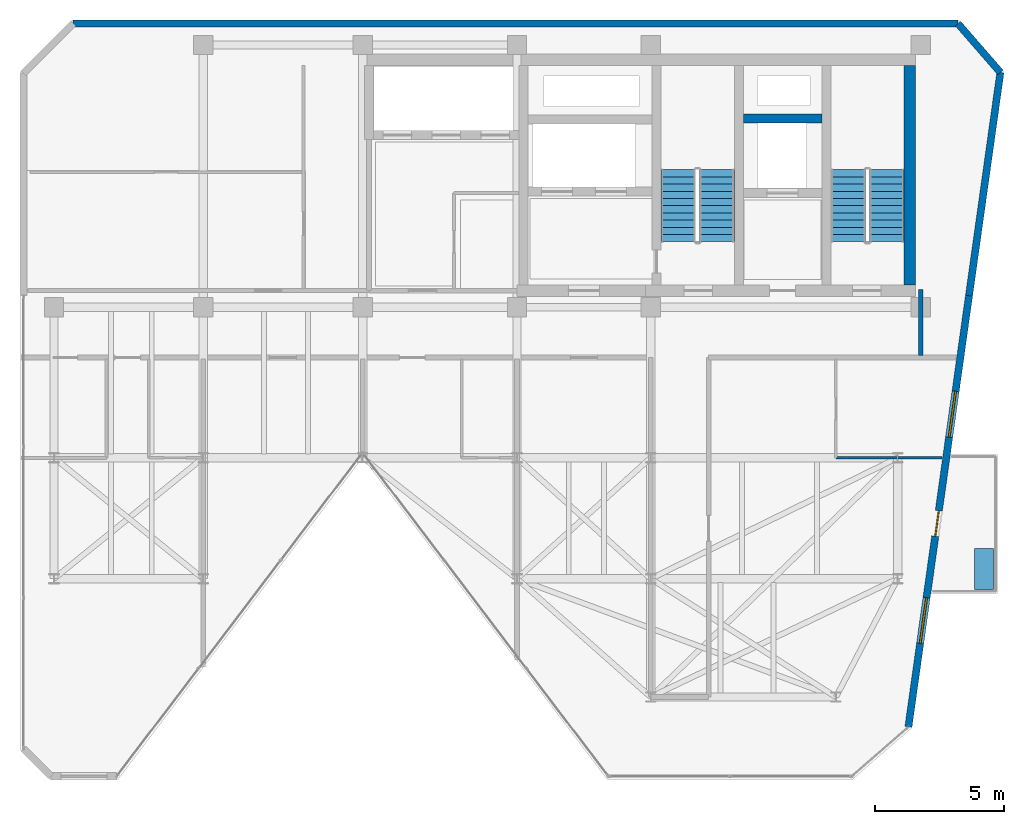
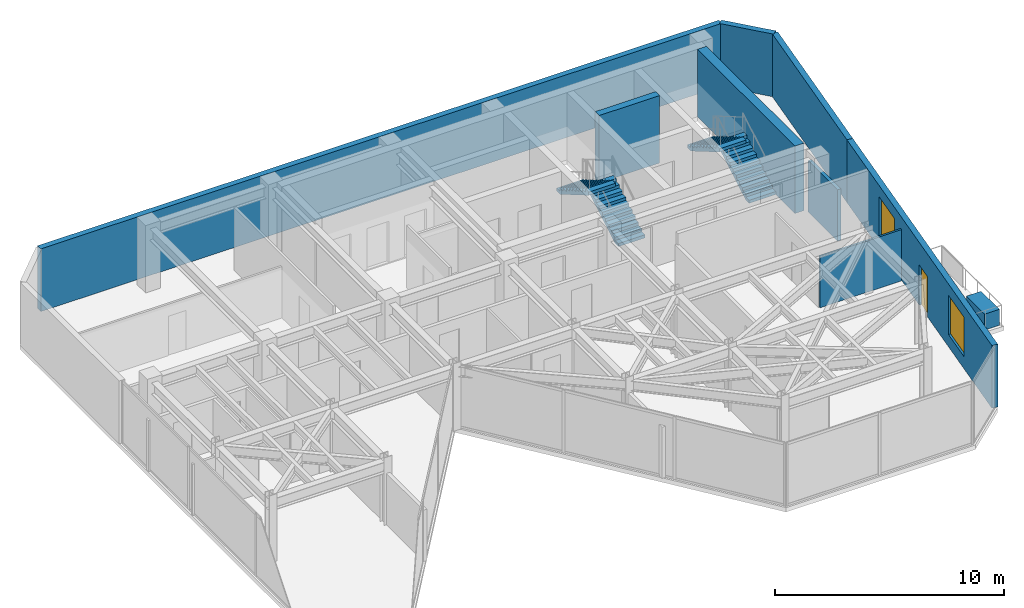
# One storey, part 15 of 17: 8 walls, 4 stair flights, 2 windows, 1 discrete accessory, 1 door, 3 openings, 2 elements without a shape of their own.
"""IFC4 building model written with IfcOpenShell, lengths in metres."""

from ifc_helpers import new_model, si_unit, direction, frame, frame_2d, origin, origin_2d, place, context, subcontext, project, spatial, polyline, rectangle, outline, extrude, material, layer, layer_set, type_object, element, fill, aggregate, save


model = new_model("IFC4")

# Units and contexts
model_context = context("Model", 3, precision=1e-05, world=origin(), true_north=direction((0.0, 1.0)))
body_context = subcontext(model_context, "Body", "Model", "MODEL_VIEW")
ifc_project = project(units=[si_unit("LENGTHUNIT", "METRE"), si_unit("AREAUNIT", "SQUARE_METRE"), si_unit("VOLUMEUNIT", "CUBIC_METRE"), si_unit("PLANEANGLEUNIT", "RADIAN"), si_unit("MASSUNIT", "GRAM", prefix="KILO")], contexts=[model_context])

# Site, building, storey
site_placement = place(None, origin())
site = spatial("IfcSite", under=ifc_project, at=site_placement, CompositionType="ELEMENT")
building_placement = place(site_placement, origin())
building = spatial("IfcBuilding", under=site, at=building_placement, Name="Kravanh Interchange Tower", CompositionType="ELEMENT")
storey_placement = place(building_placement, frame((0.0, 0.0, 293.10009765625)))
storey = spatial("IfcBuildingStorey", under=building, at=storey_placement, Name="L72", CompositionType="ELEMENT", Elevation=293.10009765625)

# Walls
ifc_material_1 = material(Name="Concrete C60/75", Category="concrete")
ifc_layer_1 = layer(ifc_material_1, 0.35009765625)
ifc_layer_set_1 = layer_set([ifc_layer_1], Name="Core Shear Wall Concrete C60/75 350mm")
wall_type_1 = type_object("IfcWallType", Name="Core Shear Wall Concrete C60/75 350mm", PredefinedType="SHEAR", material=ifc_layer_set_1)
wall_1_placement = place(storey_placement, frame((59.60009765625, 44.699951171875, 0.0), z_axis=(0.0, 0.0, 1.0), x_axis=(1.0, 0.0, 0.0)))
element("IfcWall", 1, at=wall_1_placement, inside=storey, type_object=wall_type_1, Name="L72 Service Lift Shaft North Wall", PredefinedType="SHEAR", context=body_context, shape_type="SweptSolid", body=[
    extrude(rectangle(XDim=3.0498046875, YDim=0.35009765625, at=frame_2d((1.52490234375, 0.0))), origin(), (0.0, 0.0, 1.0), 3.599853515625),
])
ifc_material_2 = material(Name="Concrete C60/75", Category="concrete")
ifc_layer_2 = layer(ifc_material_2, 0.449951171875)
ifc_layer_set_2 = layer_set([ifc_layer_2], Name="Core Shear Wall Concrete C60/75 450mm")
wall_type_2 = type_object("IfcWallType", Name="Core Shear Wall Concrete C60/75 450mm", PredefinedType="SHEAR", material=ifc_layer_set_2)
wall_2_placement = place(storey_placement, frame((66.074951171875, 38.22509765625, 0.0), z_axis=(0.0, 0.0, 1.0), x_axis=(0.0, 1.0, 0.0)))
element("IfcWall", 2, at=wall_2_placement, inside=storey, type_object=wall_type_2, Name="L72 Stair ST1 East Shear Wall", PredefinedType="SHEAR", context=body_context, shape_type="SweptSolid", body=[
    extrude(rectangle(XDim=8.52490234375, YDim=0.449951171875, at=frame_2d((4.262451171875, 0.0))), origin(), (0.0, 0.0, 1.0), 3.599853515625),
])
ifc_material_3 = material(Name="Moisture-Resistant Gypsum Board and Mineral Wool")
ifc_layer_3 = layer(ifc_material_3, 0.10009765625)
ifc_layer_set_3 = layer_set([ifc_layer_3], Name="En-Suite Moisture-Resistant Partition 100mm")
wall_type_3 = type_object("IfcWallType", Name="En-Suite Moisture-Resistant Partition 100mm", PredefinedType="PARTITIONING", material=ifc_layer_set_3)
wall_3_placement = place(storey_placement, frame((63.199951171875, 31.5, 0.0), z_axis=(0.0, 0.0, 1.0), x_axis=(1.0, 0.0, 0.0)))
element("IfcWall", 3, at=wall_3_placement, inside=storey, type_object=wall_type_3, Name="L72 Interior Partition 17", PredefinedType="PARTITIONING", context=body_context, shape_type="SweptSolid", body=[
    extrude(rectangle(XDim=4.123046875, YDim=0.10009765625, at=frame_2d((2.0615234375, 0.0))), origin(), (0.0, 0.0, 1.0), 2.739013671875),
])
ifc_material_4 = material(Name="Insulated Precast Concrete C40/50 with Bronze Cladding", Category="concrete")
ifc_layer_4 = layer(ifc_material_4, 0.280029296875)
ifc_layer_set_4 = layer_set([ifc_layer_4], Name="Exterior Insulated Concrete C40/50 Bronze Spandrel Wall 280mm")
wall_type_4 = type_object("IfcWallType", Name="Exterior Insulated Concrete C40/50 Bronze Spandrel Wall 280mm", PredefinedType="STANDARD", material=ifc_layer_set_4)
wall_4_placement = place(storey_placement, frame((33.5498046875, 48.3798828125, 0.0), z_axis=(0.0, 0.0, 1.0), x_axis=(1.0, 0.0, 0.0)))
element("IfcWall", 4, at=wall_4_placement, inside=storey, type_object=wall_type_4, Name="L72 Exterior Wall 3", PredefinedType="STANDARD", context=body_context, shape_type="SweptSolid", body=[
    extrude(rectangle(XDim=34.3955078125, YDim=0.280029296875, at=frame_2d((17.19775390625, 0.0))), origin(), (0.0, 0.0, 1.0), 3.349853515625),
])
wall_5_placement = place(storey_placement, frame((67.9453125, 48.3798828125, 0.0), z_axis=(0.0, 0.0, 1.0), x_axis=(0.656068147197, -0.75470165379, 0.0)))
element("IfcWall", 5, at=wall_5_placement, inside=storey, type_object=wall_type_4, Name="L72 Exterior Wall 4", PredefinedType="STANDARD", context=body_context, shape_type="SweptSolid", body=[
    extrude(rectangle(XDim=2.514892578125, YDim=0.280029296875, at=frame_2d((1.25732421875, 0.0))), origin(), (0.0, 0.0, 1.0), 3.349853515625),
])
wall_6_placement = place(storey_placement, frame((69.59521484375, 46.48193359375, 0.0), z_axis=(0.0, 0.0, 1.0), x_axis=(-0.139179310088, -0.990267196086, 0.0)))
element("IfcWall", 6, at=wall_6_placement, inside=storey, type_object=wall_type_4, Name="L72 Exterior Wall 5", PredefinedType="STANDARD", context=body_context, shape_type="SweptSolid", body=[
    extrude(rectangle(XDim=8.767333984375, YDim=0.280029296875, at=frame_2d((4.3837890625, 0.0))), origin(), (0.0, 0.0, 1.0), 3.349853515625),
])

# Wall, openings, door, windows
wall_7_placement = place(storey_placement, frame((68.375, 37.800048828125, 0.0), z_axis=(0.0, 0.0, 1.0), x_axis=(-0.139171056495, -0.99026835607, 0.0)))
wall_7 = element("IfcWall", 7, at=wall_7_placement, inside=storey, type_object=wall_type_4, Name="L72 Exterior Wall 6", PredefinedType="STANDARD", context=body_context, shape_type="SweptSolid", body=[
    extrude(rectangle(XDim=16.92333984375, YDim=0.280029296875, at=frame_2d((8.461669921875, 0.0))), origin(), (0.0, 0.0, 1.0), 3.349853515625),
])
opening_1_placement = place(wall_7_placement, frame((8.440185546875, 0.0, 0.0)))
opening_1 = element("IfcOpeningElement", 8, at=opening_1_placement, cuts=wall_7, Name="Opening ED-BAL100", PredefinedType="OPENING", context=body_context, shape_type="SweptSolid", body=[
    extrude(rectangle(XDim=1.0, YDim=2.14990234375, at=frame_2d((0.5, 1.074951171875))), frame((0.0, 0.14990234375, 0.0), z_axis=(0.0, -1.0, 0.0), x_axis=(1.0, 0.0, 0.0)), (0.0, 0.0, 1.0), 0.300048828125),
])
opening_2_placement = place(wall_7_placement, frame((3.754638671875, 0.0, 0.64990234375)))
opening_2 = element("IfcOpeningElement", 9, at=opening_2_placement, cuts=wall_7, Name="Opening WN-180X210", PredefinedType="OPENING", context=body_context, shape_type="SweptSolid", body=[
    extrude(rectangle(XDim=1.800048828125, YDim=2.10009765625, at=frame_2d((0.89990234375, 1.050048828125))), frame((0.0, 0.14990234375, 0.0), z_axis=(0.0, -1.0, 0.0), x_axis=(1.0, 0.0, 0.0)), (0.0, 0.0, 1.0), 0.300048828125),
])
opening_3_placement = place(wall_7_placement, frame((11.851806640625, 0.0, 0.64990234375)))
opening_3 = element("IfcOpeningElement", 10, at=opening_3_placement, cuts=wall_7, Name="Opening WN-180X210", PredefinedType="OPENING", context=body_context, shape_type="SweptSolid", body=[
    extrude(rectangle(XDim=1.800048828125, YDim=2.10009765625, at=frame_2d((0.89990234375, 1.050048828125))), frame((0.0, 0.14990234375, 0.0), z_axis=(0.0, -1.0, 0.0), x_axis=(1.0, 0.0, 0.0)), (0.0, 0.0, 1.0), 0.300048828125),
])
ifc_material_5 = material(Name="Thermally Broken Bronze Aluminium and Laminated Glass", Category="aluminium")
door_type = type_object("IfcDoorType", Name="Balcony Glazed Door 1000x2150", OperationType="NOTDEFINED", PredefinedType="DOOR", material=ifc_material_5)
door_placement = place(opening_1_placement, origin())
door = element("IfcDoor", 11, at=door_placement, inside=storey, type_object=door_type, Name="L72 E Tree Balcony Access Door", OperationType="SINGLE_SWING_RIGHT", OverallHeight=2.14990234375, OverallWidth=1.0, PredefinedType="DOOR", context=body_context, shape_type="SweptSolid", body=[
    extrude(rectangle(XDim=1.0, YDim=2.14990234375, at=frame_2d((0.5, 1.074951171875))), frame((0.0, 0.02490234375, 0.0), z_axis=(0.0, -1.0, 0.0), x_axis=(1.0, 0.0, 0.0)), (0.0, 0.0, 1.0), 0.050048828125),
])
fill(opening_1, door)
ifc_material_6 = material(Name="Thermally Broken Bronze Aluminium and Low-E Glass", Category="aluminium")
window_type = type_object("IfcWindowType", Name="Tower Pier Window 1800x2100", PartitioningType="SINGLE_PANEL", PredefinedType="WINDOW", material=ifc_material_6)
window_1_placement = place(opening_2_placement, origin())
window_1 = element("IfcWindow", 12, at=window_1_placement, inside=storey, type_object=window_type, Name="L72 Facade Window 6A", OverallHeight=2.10009765625, OverallWidth=1.800048828125, PartitioningType="SINGLE_PANEL", PredefinedType="WINDOW", context=body_context, shape_type="SweptSolid", body=[
    extrude(rectangle(XDim=1.800048828125, YDim=2.10009765625, at=frame_2d((0.89990234375, 1.050048828125))), frame((0.0, 0.030029296875, 0.0), z_axis=(0.0, -1.0, 0.0), x_axis=(1.0, 0.0, 0.0)), (0.0, 0.0, 1.0), 0.06005859375),
])
fill(opening_2, window_1)
window_2_placement = place(opening_3_placement, origin())
window_2 = element("IfcWindow", 13, at=window_2_placement, inside=storey, type_object=window_type, Name="L72 Facade Window 6B", OverallHeight=2.10009765625, OverallWidth=1.800048828125, PartitioningType="SINGLE_PANEL", PredefinedType="WINDOW", context=body_context, shape_type="SweptSolid", body=[
    extrude(rectangle(XDim=1.800048828125, YDim=2.10009765625, at=frame_2d((0.89990234375, 1.050048828125))), frame((0.0, 0.030029296875, 0.0), z_axis=(0.0, -1.0, 0.0), x_axis=(1.0, 0.0, 0.0)), (0.0, 0.0, 1.0), 0.06005859375),
])
fill(opening_3, window_2)

# Wall
ifc_material_7 = material(Name="Autoclaved Aerated Concrete C30/37 Blockwork", Category="masonry")
ifc_layer_5 = layer(ifc_material_7, 0.179931640625)
ifc_layer_set_5 = layer_set([ifc_layer_5], Name="Fire-Rated Lobby and Corridor Wall Concrete C30/37 180mm")
wall_type_5 = type_object("IfcWallType", Name="Fire-Rated Lobby and Corridor Wall Concrete C30/37 180mm", PredefinedType="STANDARD", material=ifc_layer_set_5)
wall_8_placement = place(storey_placement, frame((66.5, 35.468017578125, 0.0), z_axis=(0.0, 0.0, 1.0), x_axis=(0.0, 1.0, 0.0)))
element("IfcWall", 14, at=wall_8_placement, inside=storey, type_object=wall_type_5, Name="L72 Interior Partition 11", PredefinedType="STANDARD", context=body_context, shape_type="SweptSolid", body=[
    extrude(rectangle(XDim=2.58203125, YDim=0.179931640625, at=frame_2d((1.291015625, 0.0))), origin(), (0.0, 0.0, 1.0), 2.739013671875),
])

# Stair, stair flights
ifc_material_8 = material(Name="Concrete C50/60", Category="concrete")
stair_type = type_object("IfcStairType", Name="Core Fire Exit Dogleg Stair Concrete C50/60", PredefinedType="HALF_TURN_STAIR", material=ifc_material_8)
stair_1_placement = place(storey_placement, origin())
stair_1 = element("IfcStair", 15, at=stair_1_placement, inside=storey, type_object=stair_type, Name="L72 Exit Stair ST1", PredefinedType="HALF_TURN_STAIR")
ifc_material_9 = material(Name="Precast Concrete C50/60", Category="concrete")
ifc_layer_6 = layer(ifc_material_9, 0.199951171875)
ifc_layer_set_6 = layer_set([ifc_layer_6], Name="Precast Concrete C50/60 Stair Flight 1350mm")
stair_flight_type = type_object("IfcStairFlightType", Name="Precast Concrete C50/60 Stair Flight 1350mm", PredefinedType="STRAIGHT", material=ifc_layer_set_6)
stair_flight_1_placement = place(storey_placement, frame((65.175048828125, 39.89990234375, 0.0), z_axis=(0.0, 0.0, 1.0), x_axis=(0.0, 1.0, 0.0)))
stair_flight_1 = element("IfcStairFlight", 16, at=stair_flight_1_placement, type_object=stair_flight_type, Name="ST1 flight 1", NumberOfRisers=11, NumberOfTreads=10, PredefinedType="STRAIGHT", RiserHeight=0.163636364, TreadLength=0.28, context=body_context, shape_type="SweptSolid", body=[
    extrude(outline(polyline([(0.0, 0.0), (0.0, 0.16357421875), (0.280029296875, 0.16357421875), (0.280029296875, 0.327392578125), (0.56005859375, 0.327392578125), (0.56005859375, 0.490966796875), (0.840087890625, 0.490966796875), (0.840087890625, 0.654541015625), (1.1201171875, 0.654541015625), (1.1201171875, 0.818115234375), (1.39990234375, 0.818115234375), (1.39990234375, 0.98193359375), (1.679931640625, 0.98193359375), (1.679931640625, 1.1455078125), (1.9599609375, 1.1455078125), (1.9599609375, 1.30908203125), (2.239990234375, 1.30908203125), (2.239990234375, 1.47265625), (2.52001953125, 1.47265625), (2.52001953125, 1.636474609375), (2.800048828125, 1.636474609375), (2.800048828125, 1.800048828125), (2.800048828125, 1.462646484375), (0.297119140625, 0.0), (0.0, 0.0)])), frame((0.0, 0.675048828125, 0.0), z_axis=(0.0, -1.0, 0.0), x_axis=(1.0, 0.0, 0.0)), (0.0, 0.0, 1.0), 1.35009765625),
])
stair_flight_2_placement = place(storey_placement, frame((63.675048828125, 42.699951171875, 1.7998046875), z_axis=(0.0, 0.0, 1.0), x_axis=(0.0, -1.0, 0.0)))
stair_flight_2 = element("IfcStairFlight", 17, at=stair_flight_2_placement, type_object=stair_flight_type, Name="ST1 flight 2", NumberOfRisers=11, NumberOfTreads=10, PredefinedType="STRAIGHT", RiserHeight=0.163636364, TreadLength=0.28, context=body_context, shape_type="SweptSolid", body=[
    extrude(outline(polyline([(0.0, 0.0), (0.0, 0.16357421875), (0.280029296875, 0.16357421875), (0.280029296875, 0.327392578125), (0.56005859375, 0.327392578125), (0.56005859375, 0.490966796875), (0.840087890625, 0.490966796875), (0.840087890625, 0.654541015625), (1.1201171875, 0.654541015625), (1.1201171875, 0.818115234375), (1.39990234375, 0.818115234375), (1.39990234375, 0.98193359375), (1.679931640625, 0.98193359375), (1.679931640625, 1.1455078125), (1.9599609375, 1.1455078125), (1.9599609375, 1.30908203125), (2.239990234375, 1.30908203125), (2.239990234375, 1.47265625), (2.52001953125, 1.47265625), (2.52001953125, 1.636474609375), (2.800048828125, 1.636474609375), (2.800048828125, 1.800048828125), (2.800048828125, 1.462646484375), (0.297119140625, 0.0), (0.0, 0.0)])), frame((0.0, 0.675048828125, 0.0), z_axis=(0.0, -1.0, 0.0), x_axis=(1.0, 0.0, 0.0)), (0.0, 0.0, 1.0), 1.35009765625),
])
aggregate(stair_1, [stair_flight_1, stair_flight_2])

stair_2_placement = place(storey_placement, origin())
stair_2 = element("IfcStair", 18, at=stair_2_placement, inside=storey, type_object=stair_type, Name="L72 Exit Stair ST2", PredefinedType="HALF_TURN_STAIR")
stair_flight_3_placement = place(storey_placement, frame((58.574951171875, 39.89990234375, 0.0), z_axis=(0.0, 0.0, 1.0), x_axis=(0.0, 1.0, 0.0)))
stair_flight_3 = element("IfcStairFlight", 19, at=stair_flight_3_placement, type_object=stair_flight_type, Name="ST2 flight 1", NumberOfRisers=11, NumberOfTreads=10, PredefinedType="STRAIGHT", RiserHeight=0.163636364, TreadLength=0.28, context=body_context, shape_type="SweptSolid", body=[
    extrude(outline(polyline([(0.0, 0.0), (0.0, 0.16357421875), (0.280029296875, 0.16357421875), (0.280029296875, 0.327392578125), (0.56005859375, 0.327392578125), (0.56005859375, 0.490966796875), (0.840087890625, 0.490966796875), (0.840087890625, 0.654541015625), (1.1201171875, 0.654541015625), (1.1201171875, 0.818115234375), (1.39990234375, 0.818115234375), (1.39990234375, 0.98193359375), (1.679931640625, 0.98193359375), (1.679931640625, 1.1455078125), (1.9599609375, 1.1455078125), (1.9599609375, 1.30908203125), (2.239990234375, 1.30908203125), (2.239990234375, 1.47265625), (2.52001953125, 1.47265625), (2.52001953125, 1.636474609375), (2.800048828125, 1.636474609375), (2.800048828125, 1.800048828125), (2.800048828125, 1.462646484375), (0.297119140625, 0.0), (0.0, 0.0)])), frame((0.0, 0.675048828125, 0.0), z_axis=(0.0, -1.0, 0.0), x_axis=(1.0, 0.0, 0.0)), (0.0, 0.0, 1.0), 1.35009765625),
])
stair_flight_4_placement = place(storey_placement, frame((57.074951171875, 42.699951171875, 1.7998046875), z_axis=(0.0, 0.0, 1.0), x_axis=(0.0, -1.0, 0.0)))
stair_flight_4 = element("IfcStairFlight", 20, at=stair_flight_4_placement, type_object=stair_flight_type, Name="ST2 flight 2", NumberOfRisers=11, NumberOfTreads=10, PredefinedType="STRAIGHT", RiserHeight=0.163636364, TreadLength=0.28, context=body_context, shape_type="SweptSolid", body=[
    extrude(outline(polyline([(0.0, 0.0), (0.0, 0.16357421875), (0.280029296875, 0.16357421875), (0.280029296875, 0.327392578125), (0.56005859375, 0.327392578125), (0.56005859375, 0.490966796875), (0.840087890625, 0.490966796875), (0.840087890625, 0.654541015625), (1.1201171875, 0.654541015625), (1.1201171875, 0.818115234375), (1.39990234375, 0.818115234375), (1.39990234375, 0.98193359375), (1.679931640625, 0.98193359375), (1.679931640625, 1.1455078125), (1.9599609375, 1.1455078125), (1.9599609375, 1.30908203125), (2.239990234375, 1.30908203125), (2.239990234375, 1.47265625), (2.52001953125, 1.47265625), (2.52001953125, 1.636474609375), (2.800048828125, 1.636474609375), (2.800048828125, 1.800048828125), (2.800048828125, 1.462646484375), (0.297119140625, 0.0), (0.0, 0.0)])), frame((0.0, 0.675048828125, 0.0), z_axis=(0.0, -1.0, 0.0), x_axis=(1.0, 0.0, 0.0)), (0.0, 0.0, 1.0), 1.35009765625),
])
aggregate(stair_2, [stair_flight_3, stair_flight_4])

# Discrete accessory
ifc_material_10 = material(Name="Architectural GRC Concrete C40/50 with Root Barrier", Category="concrete")
discrete_accessory_type = type_object("IfcDiscreteAccessoryType", Name="Structural Balcony Tree Planter Box Concrete C40/50 1600x750x850", PredefinedType="USERDEFINED", material=ifc_material_10)
discrete_accessory_placement = place(storey_placement, frame((68.958984375, 27.179931640625, -0.000244140625), z_axis=(0.0, 0.0, 1.0), x_axis=(1.0, 0.0, 0.0)))
element("IfcDiscreteAccessory", 21, at=discrete_accessory_placement, inside=storey, type_object=discrete_accessory_type, Name="L72 E Balcony TREE PLANTER", ObjectType="PLANTER", PredefinedType="USERDEFINED", context=body_context, shape_type="SweptSolid", body=[
    extrude(rectangle(XDim=0.75, YDim=1.60009765625, at=origin_2d()), origin(), (0.0, 0.0, 1.0), 0.85009765625),
])

save(model, "model.ifc")
